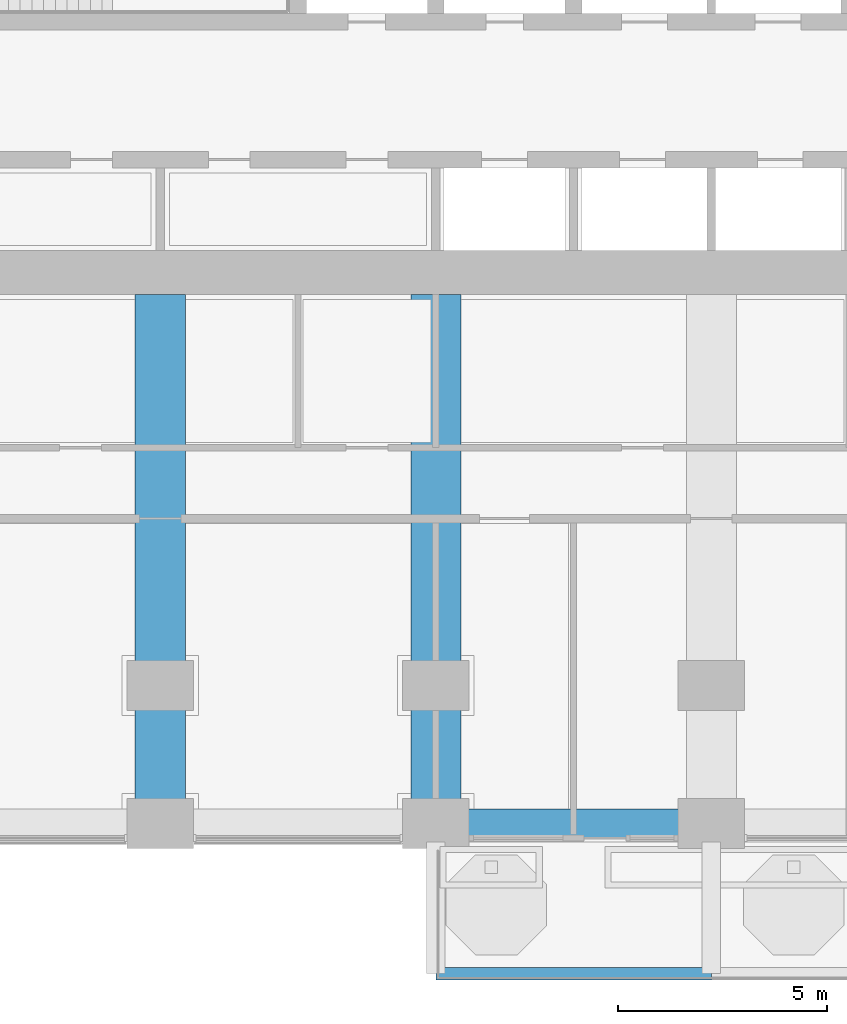
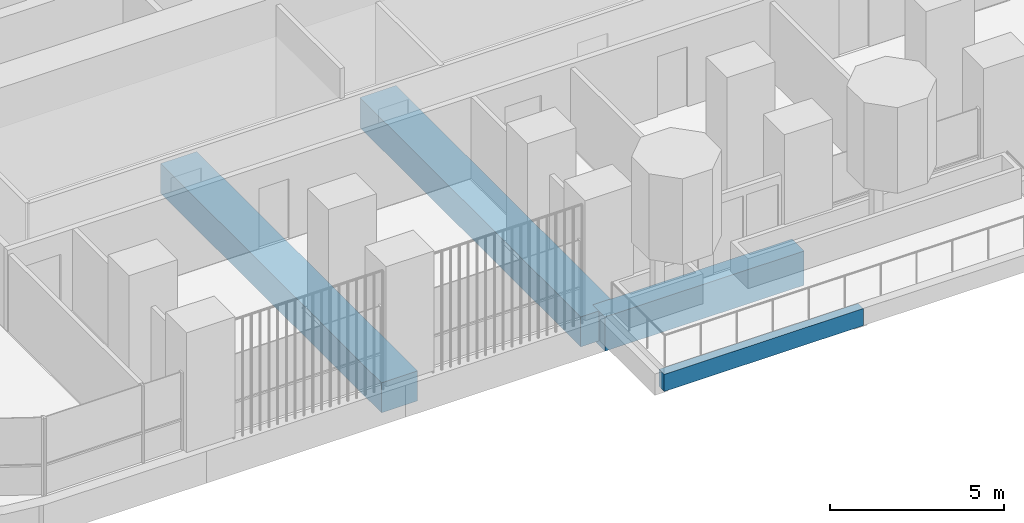
# One storey, part 3 of 23: 4 beams.
"""IFC4 building model written with IfcOpenShell, lengths in metres."""

from ifc_helpers import new_model, si_unit, direction, frame, origin, origin_2d, place, context, subcontext, project, spatial, rectangle, extrude, material, material_profile, profile_set, type_object, element, save


model = new_model("IFC4")

# Units and contexts
model_context = context("Model", 3, precision=1e-05, world=origin(), true_north=direction((0.0, 1.0)))
body_context = subcontext(model_context, "Body", "Model", "MODEL_VIEW")
ifc_project = project(units=[si_unit("LENGTHUNIT", "METRE"), si_unit("AREAUNIT", "SQUARE_METRE"), si_unit("VOLUMEUNIT", "CUBIC_METRE"), si_unit("PLANEANGLEUNIT", "RADIAN"), si_unit("MASSUNIT", "GRAM", prefix="KILO")], contexts=[model_context])

# Site, building, storey
site_placement = place(None, origin())
site = spatial("IfcSite", under=ifc_project, at=site_placement, CompositionType="ELEMENT")
building_placement = place(site_placement, origin())
building = spatial("IfcBuilding", under=site, at=building_placement, Name="Cobogo Forest Laboratory Tower", CompositionType="ELEMENT")
storey_placement = place(building_placement, frame((0.0, 0.0, 103.199951171875)))
storey = spatial("IfcBuildingStorey", under=building, at=storey_placement, Name="L23", CompositionType="ELEMENT", Elevation=103.199951171875)

# Beams
ifc_material = material(Name="Concrete HA-40 (C40/50)", Category="concrete")
ifc_material_profile_1 = material_profile(ifc_material, rectangle(XDim=0.300048828125, YDim=0.60009765625, at=origin_2d()), Name="RC 300x600")
ifc_profile_set_1 = profile_set([ifc_material_profile_1], Name="Concrete HA-40 (C40/50)")
beam_type_1 = type_object("IfcBeamType", Name="Balcony edge beam 300x600", PredefinedType="BEAM", material=ifc_profile_set_1)
beam_1_placement = place(storey_placement, frame((26.39990234375, -3.60009765625, -0.550048828125), z_axis=(1.0, 0.0, 0.0), x_axis=(0.0, 1.0, 0.0)))
element("IfcBeam", 1, at=beam_1_placement, inside=storey, type_object=beam_type_1, Name="BB1 BAL-S1-T1 L23", PredefinedType="BEAM", context=body_context, shape_type="SweptSolid", body=[
    extrude(rectangle(XDim=0.300048828125, YDim=0.60009765625, at=origin_2d()), origin(), (0.0, 0.0, 1.0), 6.60009765625),
])
ifc_material_profile_2 = material_profile(ifc_material, rectangle(XDim=1.199951171875, YDim=1.050048828125, at=origin_2d()), Name="RC 1200x1050")
ifc_profile_set_2 = profile_set([ifc_material_profile_2], Name="Concrete HA-40 (C40/50)")
beam_type_2 = type_object("IfcBeamType", Name="Laboratory floor wide beam 1200x1050", PredefinedType="BEAM", material=ifc_profile_set_2)
for number, where, z_axis, x_axis, name in (
    (2, (19.800048828125, 12.675048828125, -0.824951171875), (0.0, -1.0, 0.0), (1.0, 0.0, 0.0), "RB1 R-4-S L23"),
    (3, (26.39990234375, 12.675048828125, -0.824951171875), (0.0, -1.0, 0.0), (1.0, 0.0, 0.0), "RB1 R-5-S L23"),
):
    element("IfcBeam", number, at=place(storey_placement, frame(where, z_axis=z_axis, x_axis=x_axis)), inside=storey, type_object=beam_type_2, Name=name, PredefinedType="BEAM", context=body_context, shape_type="SweptSolid", body=[
        extrude(rectangle(XDim=1.199951171875, YDim=1.050048828125, at=origin_2d()), origin(), (0.0, 0.0, 1.0), 12.675048828125),
    ])
ifc_material_profile_3 = material_profile(ifc_material, rectangle(XDim=0.699951171875, YDim=1.199951171875, at=origin_2d()), Name="RC 700x1200")
ifc_profile_set_3 = profile_set([ifc_material_profile_3], Name="Concrete HA-40 (C40/50)")
beam_type_3 = type_object("IfcBeamType", Name="Perimeter edge beam 700x1200", PredefinedType="BEAM", material=ifc_profile_set_3)
beam_2_placement = place(storey_placement, frame((26.39990234375, 0.0, -0.89990234375), z_axis=(1.0, 0.0, 0.0), x_axis=(0.0, 1.0, 0.0)))
element("IfcBeam", 4, at=beam_2_placement, inside=storey, type_object=beam_type_3, Name="EB1 E-S3 L23", PredefinedType="BEAM", context=body_context, shape_type="SweptSolid", body=[
    extrude(rectangle(XDim=0.699951171875, YDim=1.199951171875, at=origin_2d()), origin(), (0.0, 0.0, 1.0), 6.60009765625),
])

save(model, "model.ifc")
